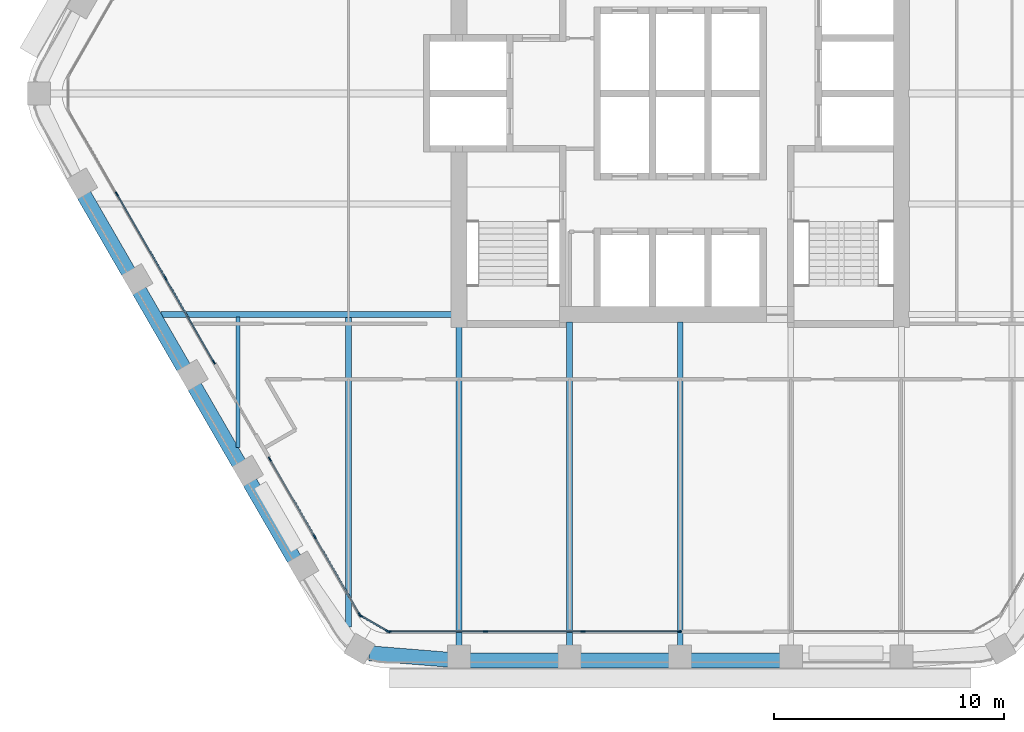
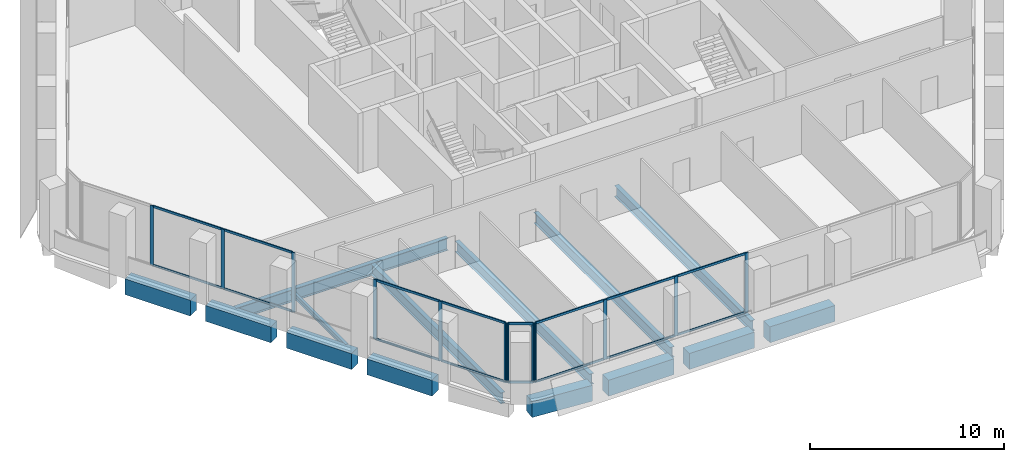
# One storey, part 2 of 15: 28 members, 14 beams, 4 elements without a shape of their own.
"""IFC4 building model written with IfcOpenShell, lengths in metres."""

from ifc_helpers import new_model, si_unit, direction, frame, origin, origin_2d, place, context, subcontext, project, spatial, rectangle, i_section, extrude, material, material_profile, profile_set, type_object, element, aggregate, save


model = new_model("IFC4")

# Units and contexts
model_context = context("Model", 3, precision=1e-05, world=origin(), true_north=direction((0.0, 1.0)))
body_context = subcontext(model_context, "Body", "Model", "MODEL_VIEW")
ifc_project = project(units=[si_unit("LENGTHUNIT", "METRE"), si_unit("AREAUNIT", "SQUARE_METRE"), si_unit("VOLUMEUNIT", "CUBIC_METRE"), si_unit("PLANEANGLEUNIT", "RADIAN"), si_unit("MASSUNIT", "GRAM", prefix="KILO")], contexts=[model_context])

# Site, building, storey
site_placement = place(None, origin())
site = spatial("IfcSite", under=ifc_project, at=site_placement, CompositionType="ELEMENT")
building_placement = place(site_placement, origin())
building = spatial("IfcBuilding", under=site, at=building_placement, Name="Kolab Exchange Tower", CompositionType="ELEMENT")
storey_placement = place(building_placement, frame((0.0, 0.0, 185.60009765625)))
storey = spatial("IfcBuildingStorey", under=building, at=storey_placement, Name="L39", CompositionType="ELEMENT", Elevation=185.60009765625)

# Beams
ifc_material_1 = material(Name="Steel S355", Category="steel")
ifc_material_profile_1 = material_profile(ifc_material_1, i_section(OverallWidth=0.1650390625, OverallDepth=0.31005859375, WebThickness=0.005859375, FlangeThickness=0.009765625, at=origin_2d()), Name="W310X39")
ifc_profile_set_1 = profile_set([ifc_material_profile_1], Name="Steel S355")
beam_type_1 = type_object("IfcBeamType", Name="FLOOR BEAM W310X39", PredefinedType="BEAM", material=ifc_profile_set_1)
beam_1_placement = place(storey_placement, frame((-19.199951171875, -15.36767578125, -0.30517578125), z_axis=(0.0, 1.0, 0.0), x_axis=(-1.0, 0.0, 0.0)))
element("IfcBeam", 1, at=beam_1_placement, inside=storey, type_object=beam_type_1, Name="beam/L39/fr/003", PredefinedType="BEAM", context=body_context, shape_type="SweptSolid", body=[
    extrude(i_section(OverallWidth=0.1650390625, OverallDepth=0.31005859375, WebThickness=0.005859375, FlangeThickness=0.009765625, at=origin_2d()), origin(), (0.0, 0.0, 1.0), 5.674072265625),
])
ifc_material_profile_2 = material_profile(ifc_material_1, i_section(OverallWidth=0.25390625, OverallDepth=0.68408203125, WebThickness=0.012451171875, FlangeThickness=0.018798828125, at=origin_2d()), Name="W690X140")
ifc_profile_set_2 = profile_set([ifc_material_profile_2], Name="Steel S355")
beam_type_2 = type_object("IfcBeamType", Name="FLOOR BEAM W690X140", PredefinedType="BEAM", material=ifc_profile_set_2)
beam_2_placement = place(storey_placement, frame((-14.39990234375, -23.15576171875, -0.4921875), z_axis=(0.0, 1.0, 0.0), x_axis=(-1.0, 0.0, 0.0)))
element("IfcBeam", 2, at=beam_2_placement, inside=storey, type_object=beam_type_2, Name="beam/L39/fr/005", PredefinedType="BEAM", context=body_context, shape_type="SweptSolid", body=[
    extrude(i_section(OverallWidth=0.25390625, OverallDepth=0.68408203125, WebThickness=0.012451171875, FlangeThickness=0.018798828125, at=origin_2d()), origin(), (0.0, 0.0, 1.0), 13.462158203125),
])
beam_3_placement = place(storey_placement, frame((-9.60009765625, -23.9814453125, -0.4921875), z_axis=(0.0, 1.0, 0.0), x_axis=(-1.0, 0.0, 0.0)))
element("IfcBeam", 3, at=beam_3_placement, inside=storey, type_object=beam_type_2, Name="beam/L39/fr/007", PredefinedType="BEAM", context=body_context, shape_type="SweptSolid", body=[
    extrude(i_section(OverallWidth=0.25390625, OverallDepth=0.68408203125, WebThickness=0.012451171875, FlangeThickness=0.018798828125, at=origin_2d()), origin(), (0.0, 0.0, 1.0), 13.871337890625),
])
for number, where, z_axis, x_axis, name in (
    (4, (-4.800048828125, -23.9814453125, -0.4921875), (0.0, 1.0, 0.0), (-1.0, 0.0, 0.0), "beam/L39/fr/009"),
    (5, (0.0, -23.9814453125, -0.4921875), (0.0, 1.0, 0.0), (-1.0, 0.0, 0.0), "beam/L39/fr/011"),
):
    element("IfcBeam", number, at=place(storey_placement, frame(where, z_axis=z_axis, x_axis=x_axis)), inside=storey, type_object=beam_type_2, Name=name, PredefinedType="BEAM", context=body_context, shape_type="SweptSolid", body=[
        extrude(i_section(OverallWidth=0.25390625, OverallDepth=0.68408203125, WebThickness=0.012451171875, FlangeThickness=0.018798828125, at=origin_2d()), origin(), (0.0, 0.0, 1.0), 14.071533203125),
    ])
ifc_material_profile_3 = material_profile(ifc_material_1, i_section(OverallWidth=0.26708984375, OverallDepth=0.761962890625, WebThickness=0.014404296875, FlangeThickness=0.021484375, at=origin_2d()), Name="W760X173")
ifc_profile_set_3 = profile_set([ifc_material_profile_3], Name="Steel S355")
beam_type_3 = type_object("IfcBeamType", Name="FLOOR GIRDER W760X173", PredefinedType="BEAM", material=ifc_profile_set_3)
beam_4_placement = place(storey_placement, frame((-22.546875, -9.60009765625, -0.531005859375), z_axis=(1.0, 0.0, 0.0), x_axis=(0.0, 1.0, 0.0)))
element("IfcBeam", 6, at=beam_4_placement, inside=storey, type_object=beam_type_3, Name="beam/L39/gd/000", PredefinedType="BEAM", context=body_context, shape_type="SweptSolid", body=[
    extrude(i_section(OverallWidth=0.26708984375, OverallDepth=0.761962890625, WebThickness=0.014404296875, FlangeThickness=0.021484375, at=origin_2d()), origin(), (0.0, 0.0, 1.0), 12.636962890625),
])
ifc_material_2 = material(Name="Concrete C60/75", Category="concrete")
ifc_material_profile_4 = material_profile(ifc_material_2, rectangle(XDim=0.64990234375, YDim=1.0, at=origin_2d()), Name="RC650X1000")
ifc_profile_set_4 = profile_set([ifc_material_profile_4], Name="Concrete C60/75")
beam_type_4 = type_object("IfcBeamType", Name="SPANDREL BEAM 650X1000 C60/75", PredefinedType="BEAM", material=ifc_profile_set_4)
for number, where, z_axis, x_axis, name in (
    (7, (4.340087890625, -24.616455078125, -0.650146484375), (-1.0, 0.0, 0.0), (0.0, -1.0, 0.0), "beam/L39/sp/F4-03"),
    (8, (-0.4599609375, -24.616455078125, -0.650146484375), (-1.0, 0.0, 0.0), (0.0, -1.0, 0.0), "beam/L39/sp/F4-04"),
):
    element("IfcBeam", number, at=place(storey_placement, frame(where, z_axis=z_axis, x_axis=x_axis)), inside=storey, type_object=beam_type_4, Name=name, PredefinedType="BEAM", context=body_context, shape_type="SweptSolid", body=[
        extrude(rectangle(XDim=0.64990234375, YDim=1.0, at=origin_2d()), origin(), (0.0, 0.0, 1.0), 3.880126953125),
    ])
beam_5_placement = place(storey_placement, frame((-5.260009765625, -24.616455078125, -0.650146484375), z_axis=(-1.0, 0.0, 0.0), x_axis=(0.0, -1.0, 0.0)))
element("IfcBeam", 9, at=beam_5_placement, inside=storey, type_object=beam_type_4, Name="beam/L39/sp/F4-05", PredefinedType="BEAM", context=body_context, shape_type="SweptSolid", body=[
    extrude(rectangle(XDim=0.64990234375, YDim=1.0, at=origin_2d()), origin(), (0.0, 0.0, 1.0), 3.8798828125),
])
beam_6_placement = place(storey_placement, frame((-10.06005859375, -24.5791015625, -0.650146484375), z_axis=(-0.996708497182, 0.081068931445, 0.0), x_axis=(-0.081068931445, -0.996708497182, 0.0)))
element("IfcBeam", 10, at=beam_6_placement, inside=storey, type_object=beam_type_4, Name="beam/L39/sp/F4-06", PredefinedType="BEAM", context=body_context, shape_type="SweptSolid", body=[
    extrude(rectangle(XDim=0.64990234375, YDim=1.0, at=origin_2d()), origin(), (0.0, 0.0, 1.0), 3.445068359375),
])
beam_7_placement = place(storey_placement, frame((-16.74853515625, -20.2236328125, -0.650146484375), z_axis=(-0.499996613652, 0.866027358884, 0.0), x_axis=(-0.866027358884, -0.499996613652, 0.0)))
element("IfcBeam", 11, at=beam_7_placement, inside=storey, type_object=beam_type_4, Name="beam/L39/sp/F5-02", PredefinedType="BEAM", context=body_context, shape_type="SweptSolid", body=[
    extrude(rectangle(XDim=0.64990234375, YDim=1.0, at=origin_2d()), origin(), (0.0, 0.0, 1.0), 3.8798828125),
])
beam_8_placement = place(storey_placement, frame((-19.1484375, -16.06689453125, -0.650146484375), z_axis=(-0.50001655835, 0.866015843605, 0.0), x_axis=(-0.866015843605, -0.50001655835, 0.0)))
element("IfcBeam", 12, at=beam_8_placement, inside=storey, type_object=beam_type_4, Name="beam/L39/sp/F5-03", PredefinedType="BEAM", context=body_context, shape_type="SweptSolid", body=[
    extrude(rectangle(XDim=0.64990234375, YDim=1.0, at=origin_2d()), origin(), (0.0, 0.0, 1.0), 3.880126953125),
])
for number, where, z_axis, x_axis, name in (
    (13, (-21.548583984375, -11.909912109375, -0.650146484375), (-0.499996613652, 0.866027358884, 0.0), (-0.866027358884, -0.499996613652, 0.0), "beam/L39/sp/F5-04"),
    (14, (-23.948486328125, -7.7529296875, -0.650146484375), (-0.499996613652, 0.866027358884, 0.0), (-0.866027358884, -0.499996613652, 0.0), "beam/L39/sp/F5-05"),
):
    element("IfcBeam", number, at=place(storey_placement, frame(where, z_axis=z_axis, x_axis=x_axis)), inside=storey, type_object=beam_type_4, Name=name, PredefinedType="BEAM", context=body_context, shape_type="SweptSolid", body=[
        extrude(rectangle(XDim=0.64990234375, YDim=1.0, at=origin_2d()), origin(), (0.0, 0.0, 1.0), 3.8798828125),
    ])

# Curtain wall, members
ifc_material_3 = material(Name="Aluminium EN AW-6063 T6", Category="aluminium")
curtain_wall_type = type_object("IfcCurtainWallType", Name="UNITISED UPPER MID ZONE CURTAIN WALL", PredefinedType="NOTDEFINED", material=ifc_material_3)
curtain_wall_1_placement = place(storey_placement, origin())
curtain_wall_1 = element("IfcCurtainWall", 15, at=curtain_wall_1_placement, inside=storey, type_object=curtain_wall_type, Name="cw/L39/F4-2", PredefinedType="NOTDEFINED")
ifc_material_profile_5 = material_profile(ifc_material_3, rectangle(XDim=0.06005859375, YDim=0.199951171875, at=origin_2d()), Name="RECT 60X200")
ifc_profile_set_5 = profile_set([ifc_material_profile_5], Name="Aluminium EN AW-6063 T6")
member_type_1 = type_object("IfcMemberType", Name="UNITISED UPPER MID ZONE MULLION 60 X 200", PredefinedType="MULLION", material=ifc_profile_set_5)
member_1_placement = place(storey_placement, frame((-0.030029296875, -23.361572265625, 0.0), z_axis=(0.0, 0.0, 1.0), x_axis=(0.0, -1.0, 0.0)))
member_1 = element("IfcMember", 16, at=member_1_placement, type_object=member_type_1, Name="CW3 mullion 1", PredefinedType="MULLION", context=body_context, shape_type="SweptSolid", body=[
    extrude(rectangle(XDim=0.06005859375, YDim=0.199951171875, at=origin_2d()), origin(), (0.0, 0.0, 1.0), 3.75),
])
member_2_placement = place(storey_placement, frame((-4.22265625, -23.361572265625, 0.0), z_axis=(0.0, 0.0, 1.0), x_axis=(0.0, -1.0, 0.0)))
member_2 = element("IfcMember", 17, at=member_2_placement, type_object=member_type_1, Name="CW3 mullion 2", PredefinedType="MULLION", context=body_context, shape_type="SweptSolid", body=[
    extrude(rectangle(XDim=0.06005859375, YDim=0.199951171875, at=origin_2d()), origin(), (0.0, 0.0, 1.0), 3.75),
])
member_3_placement = place(storey_placement, frame((-8.4453125, -23.361572265625, 0.0), z_axis=(0.0, 0.0, 1.0), x_axis=(0.0, -1.0, 0.0)))
member_3 = element("IfcMember", 18, at=member_3_placement, type_object=member_type_1, Name="CW3 mullion 3", PredefinedType="MULLION", context=body_context, shape_type="SweptSolid", body=[
    extrude(rectangle(XDim=0.06005859375, YDim=0.199951171875, at=origin_2d()), origin(), (0.0, 0.0, 1.0), 3.75),
])
member_4_placement = place(storey_placement, frame((-12.637939453125, -23.361572265625, 0.0), z_axis=(0.0, 0.0, 1.0), x_axis=(0.0, -1.0, 0.0)))
member_4 = element("IfcMember", 19, at=member_4_placement, type_object=member_type_1, Name="CW3 mullion 4", PredefinedType="MULLION", context=body_context, shape_type="SweptSolid", body=[
    extrude(rectangle(XDim=0.06005859375, YDim=0.199951171875, at=origin_2d()), origin(), (0.0, 0.0, 1.0), 3.75),
])

curtain_wall_2_placement = place(storey_placement, origin())
curtain_wall_2 = element("IfcCurtainWall", 20, at=curtain_wall_2_placement, inside=storey, type_object=curtain_wall_type, Name="cw/L39/F5-1", PredefinedType="NOTDEFINED")
member_5_placement = place(storey_placement, frame((-13.91259765625, -22.62548828125, 0.0), z_axis=(0.0, 0.0, 1.0), x_axis=(-0.866025385493, -0.500000031681, 0.0)))
member_5 = element("IfcMember", 21, at=member_5_placement, type_object=member_type_1, Name="CW3 mullion 1", PredefinedType="MULLION", context=body_context, shape_type="SweptSolid", body=[
    extrude(rectangle(XDim=0.06005859375, YDim=0.199951171875, at=origin_2d()), origin(), (0.0, 0.0, 1.0), 3.75),
])
member_6_placement = place(storey_placement, frame((-15.86474609375, -19.24462890625, 0.0), z_axis=(0.0, 0.0, 1.0), x_axis=(-0.866025385493, -0.500000031681, 0.0)))
member_6 = element("IfcMember", 22, at=member_6_placement, type_object=member_type_1, Name="CW3 mullion 2", PredefinedType="MULLION", context=body_context, shape_type="SweptSolid", body=[
    extrude(rectangle(XDim=0.06005859375, YDim=0.199951171875, at=origin_2d()), origin(), (0.0, 0.0, 1.0), 3.75),
])
member_7_placement = place(storey_placement, frame((-17.816650390625, -15.86376953125, 0.0), z_axis=(0.0, 0.0, 1.0), x_axis=(-0.866025385493, -0.500000031681, 0.0)))
member_7 = element("IfcMember", 23, at=member_7_placement, type_object=member_type_1, Name="CW3 mullion 3", PredefinedType="MULLION", context=body_context, shape_type="SweptSolid", body=[
    extrude(rectangle(XDim=0.06005859375, YDim=0.199951171875, at=origin_2d()), origin(), (0.0, 0.0, 1.0), 3.75),
])

curtain_wall_3_placement = place(storey_placement, origin())
curtain_wall_3 = element("IfcCurtainWall", 24, at=curtain_wall_3_placement, inside=storey, type_object=curtain_wall_type, Name="cw/L39/F5-2", PredefinedType="NOTDEFINED")
member_8_placement = place(storey_placement, frame((-20.24658203125, -11.65478515625, 0.0), z_axis=(0.0, 0.0, 1.0), x_axis=(-0.866025427826, -0.499999958358, 0.0)))
member_8 = element("IfcMember", 25, at=member_8_placement, type_object=member_type_1, Name="CW3 mullion 1", PredefinedType="MULLION", context=body_context, shape_type="SweptSolid", body=[
    extrude(rectangle(XDim=0.06005859375, YDim=0.199951171875, at=origin_2d()), origin(), (0.0, 0.0, 1.0), 3.75),
])
member_9_placement = place(storey_placement, frame((-22.343017578125, -8.02392578125, 0.0), z_axis=(0.0, 0.0, 1.0), x_axis=(-0.866025427826, -0.499999958358, 0.0)))
member_9 = element("IfcMember", 26, at=member_9_placement, type_object=member_type_1, Name="CW3 mullion 2", PredefinedType="MULLION", context=body_context, shape_type="SweptSolid", body=[
    extrude(rectangle(XDim=0.06005859375, YDim=0.199951171875, at=origin_2d()), origin(), (0.0, 0.0, 1.0), 3.75),
])
member_10_placement = place(storey_placement, frame((-24.454345703125, -4.366943359375, 0.0), z_axis=(0.0, 0.0, 1.0), x_axis=(-0.866025427826, -0.499999958358, 0.0)))
member_10 = element("IfcMember", 27, at=member_10_placement, type_object=member_type_1, Name="CW3 mullion 3", PredefinedType="MULLION", context=body_context, shape_type="SweptSolid", body=[
    extrude(rectangle(XDim=0.06005859375, YDim=0.199951171875, at=origin_2d()), origin(), (0.0, 0.0, 1.0), 3.75),
])

curtain_wall_4_placement = place(storey_placement, origin())
curtain_wall_4 = element("IfcCurtainWall", 28, at=curtain_wall_4_placement, inside=storey, type_object=curtain_wall_type, Name="cw/L39/F4F5-corner", PredefinedType="NOTDEFINED")
member_11_placement = place(storey_placement, frame((-12.69384765625, -23.346435546875, 0.0), z_axis=(0.0, 0.0, 1.0), x_axis=(-0.50000002237, -0.866025390869, 0.0)))
member_11 = element("IfcMember", 29, at=member_11_placement, type_object=member_type_1, Name="CW3 mullion 1", PredefinedType="MULLION", context=body_context, shape_type="SweptSolid", body=[
    extrude(rectangle(XDim=0.06005859375, YDim=0.199951171875, at=origin_2d()), origin(), (0.0, 0.0, 1.0), 3.75),
])
member_12_placement = place(storey_placement, frame((-13.871826171875, -22.66650390625, 0.0), z_axis=(0.0, 0.0, 1.0), x_axis=(-0.50000002237, -0.866025390869, 0.0)))
member_12 = element("IfcMember", 30, at=member_12_placement, type_object=member_type_1, Name="CW3 mullion 2", PredefinedType="MULLION", context=body_context, shape_type="SweptSolid", body=[
    extrude(rectangle(XDim=0.06005859375, YDim=0.199951171875, at=origin_2d()), origin(), (0.0, 0.0, 1.0), 3.75),
])

# Member
ifc_material_profile_6 = material_profile(ifc_material_3, rectangle(XDim=0.06005859375, YDim=0.139892578125, at=origin_2d()), Name="RECT 60X140")
ifc_profile_set_6 = profile_set([ifc_material_profile_6], Name="Aluminium EN AW-6063 T6")
member_type_2 = type_object("IfcMemberType", Name="UNITISED UPPER MID ZONE TRANSOM 60 X 140", PredefinedType="USERDEFINED", material=ifc_profile_set_6)
member_13_placement = place(storey_placement, frame((-0.06005859375, -23.361572265625, 0.02978515625), z_axis=(-1.0, 0.0, 0.0), x_axis=(0.0, -1.0, 0.0)))
member_13 = element("IfcMember", 31, at=member_13_placement, type_object=member_type_2, Name="CW3 transom 1.1", ObjectType="TRANSOM", PredefinedType="USERDEFINED", context=body_context, shape_type="SweptSolid", body=[
    extrude(rectangle(XDim=0.06005859375, YDim=0.139892578125, at=origin_2d()), origin(), (0.0, 0.0, 1.0), 4.132568359375),
])

member_14_placement = place(storey_placement, frame((-0.06005859375, -23.361572265625, 3.719970703125), z_axis=(-1.0, 0.0, 0.0), x_axis=(0.0, -1.0, 0.0)))
member_14 = element("IfcMember", 32, at=member_14_placement, type_object=member_type_2, Name="CW3 transom 1.2", ObjectType="TRANSOM", PredefinedType="USERDEFINED", context=body_context, shape_type="SweptSolid", body=[
    extrude(rectangle(XDim=0.06005859375, YDim=0.139892578125, at=origin_2d()), origin(), (0.0, 0.0, 1.0), 4.132568359375),
])

member_15_placement = place(storey_placement, frame((-4.252685546875, -23.361572265625, 0.02978515625), z_axis=(-1.0, 0.0, 0.0), x_axis=(0.0, -1.0, 0.0)))
member_15 = element("IfcMember", 33, at=member_15_placement, type_object=member_type_2, Name="CW3 transom 2.1", ObjectType="TRANSOM", PredefinedType="USERDEFINED", context=body_context, shape_type="SweptSolid", body=[
    extrude(rectangle(XDim=0.06005859375, YDim=0.139892578125, at=origin_2d()), origin(), (0.0, 0.0, 1.0), 4.16259765625),
])

member_16_placement = place(storey_placement, frame((-4.252685546875, -23.361572265625, 3.719970703125), z_axis=(-1.0, 0.0, 0.0), x_axis=(0.0, -1.0, 0.0)))
member_16 = element("IfcMember", 34, at=member_16_placement, type_object=member_type_2, Name="CW3 transom 2.2", ObjectType="TRANSOM", PredefinedType="USERDEFINED", context=body_context, shape_type="SweptSolid", body=[
    extrude(rectangle(XDim=0.06005859375, YDim=0.139892578125, at=origin_2d()), origin(), (0.0, 0.0, 1.0), 4.16259765625),
])

member_17_placement = place(storey_placement, frame((-8.475341796875, -23.361572265625, 0.02978515625), z_axis=(-1.0, 0.0, 0.0), x_axis=(0.0, -1.0, 0.0)))
member_17 = element("IfcMember", 35, at=member_17_placement, type_object=member_type_2, Name="CW3 transom 3.1", ObjectType="TRANSOM", PredefinedType="USERDEFINED", context=body_context, shape_type="SweptSolid", body=[
    extrude(rectangle(XDim=0.06005859375, YDim=0.139892578125, at=origin_2d()), origin(), (0.0, 0.0, 1.0), 4.132568359375),
])

member_18_placement = place(storey_placement, frame((-8.475341796875, -23.361572265625, 3.719970703125), z_axis=(-1.0, 0.0, 0.0), x_axis=(0.0, -1.0, 0.0)))
member_18 = element("IfcMember", 36, at=member_18_placement, type_object=member_type_2, Name="CW3 transom 3.2", ObjectType="TRANSOM", PredefinedType="USERDEFINED", context=body_context, shape_type="SweptSolid", body=[
    extrude(rectangle(XDim=0.06005859375, YDim=0.139892578125, at=origin_2d()), origin(), (0.0, 0.0, 1.0), 4.132568359375),
])

aggregate(curtain_wall_1, [member_1, member_2, member_3, member_4, member_13, member_14, member_15, member_16, member_17, member_18])

member_19_placement = place(storey_placement, frame((-13.927734375, -22.599609375, 0.02978515625), z_axis=(-0.499964356602, 0.866045981532, 0.0), x_axis=(-0.866045981532, -0.499964356602, 0.0)))
member_19 = element("IfcMember", 37, at=member_19_placement, type_object=member_type_2, Name="CW3 transom 1.1", ObjectType="TRANSOM", PredefinedType="USERDEFINED", context=body_context, shape_type="SweptSolid", body=[
    extrude(rectangle(XDim=0.06005859375, YDim=0.139892578125, at=origin_2d()), origin(), (0.0, 0.0, 1.0), 3.843994140625),
])

member_20_placement = place(storey_placement, frame((-13.927734375, -22.599609375, 3.719970703125), z_axis=(-0.499964356602, 0.866045981532, 0.0), x_axis=(-0.866045981532, -0.499964356602, 0.0)))
member_20 = element("IfcMember", 38, at=member_20_placement, type_object=member_type_2, Name="CW3 transom 1.2", ObjectType="TRANSOM", PredefinedType="USERDEFINED", context=body_context, shape_type="SweptSolid", body=[
    extrude(rectangle(XDim=0.06005859375, YDim=0.139892578125, at=origin_2d()), origin(), (0.0, 0.0, 1.0), 3.843994140625),
])

member_21_placement = place(storey_placement, frame((-15.879638671875, -19.21875, 0.02978515625), z_axis=(-0.500011990396, 0.866018481016, 0.0), x_axis=(-0.866018481016, -0.500011990396, 0.0)))
member_21 = element("IfcMember", 39, at=member_21_placement, type_object=member_type_2, Name="CW3 transom 2.1", ObjectType="TRANSOM", PredefinedType="USERDEFINED", context=body_context, shape_type="SweptSolid", body=[
    extrude(rectangle(XDim=0.06005859375, YDim=0.139892578125, at=origin_2d()), origin(), (0.0, 0.0, 1.0), 3.84423828125),
])

member_22_placement = place(storey_placement, frame((-15.879638671875, -19.21875, 3.719970703125), z_axis=(-0.500011990396, 0.866018481016, 0.0), x_axis=(-0.866018481016, -0.500011990396, 0.0)))
member_22 = element("IfcMember", 40, at=member_22_placement, type_object=member_type_2, Name="CW3 transom 2.2", ObjectType="TRANSOM", PredefinedType="USERDEFINED", context=body_context, shape_type="SweptSolid", body=[
    extrude(rectangle(XDim=0.06005859375, YDim=0.139892578125, at=origin_2d()), origin(), (0.0, 0.0, 1.0), 3.84423828125),
])

aggregate(curtain_wall_2, [member_5, member_6, member_7, member_19, member_20, member_21, member_22])

member_23_placement = place(storey_placement, frame((-20.26171875, -11.62890625, 0.02978515625), z_axis=(-0.500001996123, 0.866024251319, 0.0), x_axis=(-0.866024251319, -0.500001996123, 0.0)))
member_23 = element("IfcMember", 41, at=member_23_placement, type_object=member_type_2, Name="CW3 transom 1.1", ObjectType="TRANSOM", PredefinedType="USERDEFINED", context=body_context, shape_type="SweptSolid", body=[
    extrude(rectangle(XDim=0.06005859375, YDim=0.139892578125, at=origin_2d()), origin(), (0.0, 0.0, 1.0), 4.1328125),
])

member_24_placement = place(storey_placement, frame((-20.26171875, -11.62890625, 3.719970703125), z_axis=(-0.500001996123, 0.866024251319, 0.0), x_axis=(-0.866024251319, -0.500001996123, 0.0)))
member_24 = element("IfcMember", 42, at=member_24_placement, type_object=member_type_2, Name="CW3 transom 1.2", ObjectType="TRANSOM", PredefinedType="USERDEFINED", context=body_context, shape_type="SweptSolid", body=[
    extrude(rectangle(XDim=0.06005859375, YDim=0.139892578125, at=origin_2d()), origin(), (0.0, 0.0, 1.0), 4.1328125),
])

member_25_placement = place(storey_placement, frame((-22.35791015625, -7.997802734375, 0.02978515625), z_axis=(-0.49999322259, 0.866029316688, 0.0), x_axis=(-0.866029316688, -0.49999322259, 0.0)))
member_25 = element("IfcMember", 43, at=member_25_placement, type_object=member_type_2, Name="CW3 transom 2.1", ObjectType="TRANSOM", PredefinedType="USERDEFINED", context=body_context, shape_type="SweptSolid", body=[
    extrude(rectangle(XDim=0.06005859375, YDim=0.139892578125, at=origin_2d()), origin(), (0.0, 0.0, 1.0), 4.16259765625),
])

member_26_placement = place(storey_placement, frame((-22.35791015625, -7.997802734375, 3.719970703125), z_axis=(-0.49999322259, 0.866029316688, 0.0), x_axis=(-0.866029316688, -0.49999322259, 0.0)))
member_26 = element("IfcMember", 44, at=member_26_placement, type_object=member_type_2, Name="CW3 transom 2.2", ObjectType="TRANSOM", PredefinedType="USERDEFINED", context=body_context, shape_type="SweptSolid", body=[
    extrude(rectangle(XDim=0.06005859375, YDim=0.139892578125, at=origin_2d()), origin(), (0.0, 0.0, 1.0), 4.16259765625),
])

aggregate(curtain_wall_3, [member_8, member_9, member_10, member_23, member_24, member_25, member_26])

member_27_placement = place(storey_placement, frame((-12.719970703125, -23.33154296875, 0.02978515625), z_axis=(-0.86603858612, 0.49997716683, 0.0), x_axis=(-0.49997716683, -0.86603858612, 0.0)))
member_27 = element("IfcMember", 45, at=member_27_placement, type_object=member_type_2, Name="CW3 transom 1.1", ObjectType="TRANSOM", PredefinedType="USERDEFINED", context=body_context, shape_type="SweptSolid", body=[
    extrude(rectangle(XDim=0.06005859375, YDim=0.139892578125, at=origin_2d()), origin(), (0.0, 0.0, 1.0), 1.2998046875),
])

member_28_placement = place(storey_placement, frame((-12.719970703125, -23.33154296875, 3.719970703125), z_axis=(-0.86603858612, 0.49997716683, 0.0), x_axis=(-0.49997716683, -0.86603858612, 0.0)))
member_28 = element("IfcMember", 46, at=member_28_placement, type_object=member_type_2, Name="CW3 transom 1.2", ObjectType="TRANSOM", PredefinedType="USERDEFINED", context=body_context, shape_type="SweptSolid", body=[
    extrude(rectangle(XDim=0.06005859375, YDim=0.139892578125, at=origin_2d()), origin(), (0.0, 0.0, 1.0), 1.2998046875),
])

aggregate(curtain_wall_4, [member_11, member_12, member_27, member_28])

save(model, "model.ifc")
